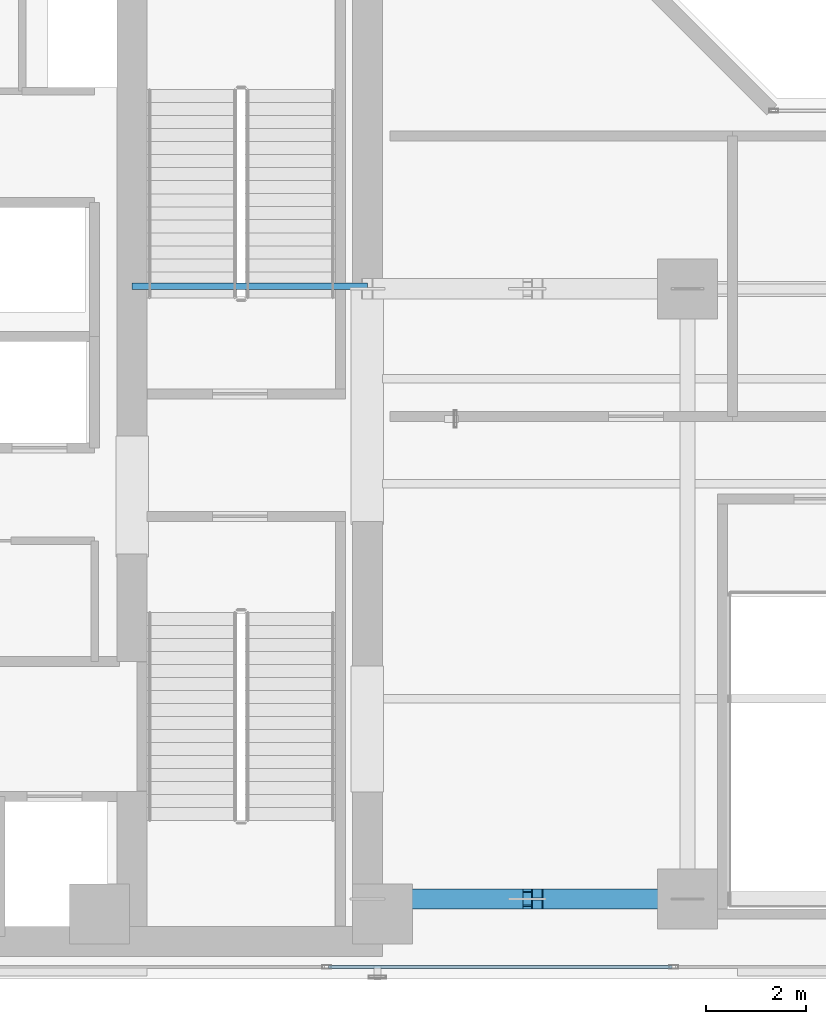
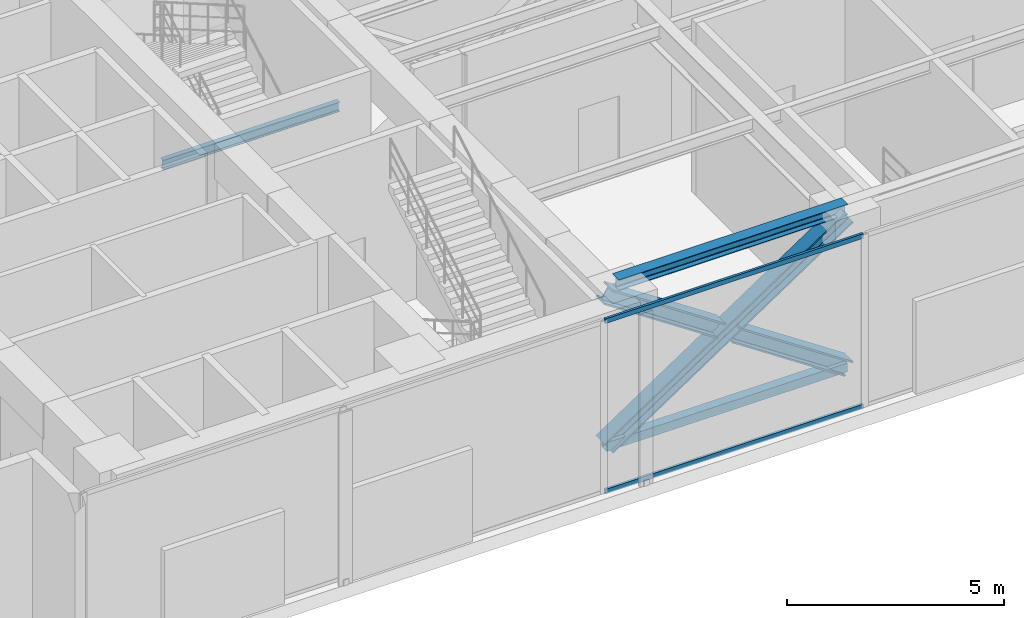
# One storey, part 5 of 36: 6 members, 2 beams, 1 element without a shape of its own.
"""IFC4 building model written with IfcOpenShell, lengths in metres."""

import ifcopenshell
import ifcopenshell.guid

model = None  # the IFC model being written
_history = None  # IfcOwnerHistory: only IFC2X3 demands one
_inside = {}  # id of a spatial element -> (the spatial element, [elements in it])
_under = {}  # id of a project, library or spatial element -> (it, [spatial elements below it])
_declared = {}  # id of a project -> (the project, [libraries it declares])
_typed = {}  # id of a type object -> (the type object, [elements of that type])
_made_of = {}  # id of a material, layer set ... -> (it, [elements and type objects made of it])


def new_model(schema):
    """Start an empty IFC model of exactly this schema.

    Asked for "IFC4X3", IfcOpenShell would pick the latest addendum, in which some entities
    have other attributes; the version numbers below select the first issue.
    IFC2X3 requires an IfcOwnerHistory on every rooted entity: one is made here for all.
    """
    global model, _history
    if schema == "IFC4X3":
        model = ifcopenshell.file(schema_version=(4, 3, 0, 0))
    else:
        model = ifcopenshell.file(schema=schema)
    _inside.clear()
    _under.clear()
    _declared.clear()
    _typed.clear()
    _made_of.clear()
    _history = None
    if model.schema == "IFC2X3":
        org = make("IfcOrganization", Name="unknown")
        user = make(
            "IfcPersonAndOrganization",
            ThePerson=make("IfcPerson", FamilyName="unknown"),
            TheOrganization=org,
        )
        app = make(
            "IfcApplication",
            ApplicationDeveloper=org,
            Version="unknown",
            ApplicationFullName="unknown",
            ApplicationIdentifier="unknown",
        )
        _history = make(
            "IfcOwnerHistory",
            OwningUser=user,
            OwningApplication=app,
            ChangeAction="ADDED",
            CreationDate=0,
        )
    return model


def make(cls, **values):
    """One entity of the class cls with the attributes given. An attribute that is None is left unset."""
    return model.create_entity(
        cls, **{name: value for name, value in values.items() if value is not None}
    )


def rooted(cls, **values):
    """An entity with a GlobalId (a new one), such as an element, a storey or a relation."""
    return make(cls, GlobalId=ifcopenshell.guid.new(), OwnerHistory=_history, **values)


def si_unit(unit_type, name, prefix=None):
    """IfcSIUnit, for example si_unit("LENGTHUNIT", "METRE", prefix="MILLI")."""
    return make("IfcSIUnit", UnitType=unit_type, Prefix=prefix, Name=name)


def assignment(units):
    """IfcUnitAssignment: the units of a project."""
    return None if units is None else make("IfcUnitAssignment", Units=units)


def point(xyz):
    """IfcCartesianPoint."""
    return None if xyz is None else make("IfcCartesianPoint", Coordinates=xyz)


def direction(xyz):
    """IfcDirection."""
    return None if xyz is None else make("IfcDirection", DirectionRatios=xyz)


def frame(location, z_axis=None, x_axis=None):
    """IfcAxis2Placement3D, a coordinate frame: its origin and axes. An axis left out is left unset."""
    return make(
        "IfcAxis2Placement3D",
        Location=point(location),
        Axis=direction(z_axis),
        RefDirection=direction(x_axis),
    )


def frame_2d(location, x_axis=None):
    """IfcAxis2Placement2D, a coordinate frame in the plane: its origin and x axis."""
    return make(
        "IfcAxis2Placement2D", Location=point(location), RefDirection=direction(x_axis)
    )


def origin():
    """The frame at (0, 0, 0) with its axes left unset."""
    return frame((0.0, 0.0, 0.0))


def origin_with_axes():
    """The frame at (0, 0, 0) with the z axis (0, 0, 1) and the x axis (1, 0, 0) written out."""
    return frame((0.0, 0.0, 0.0), z_axis=(0.0, 0.0, 1.0), x_axis=(1.0, 0.0, 0.0))


def origin_2d():
    """The frame at (0, 0) in the plane with its x axis left unset."""
    return frame_2d((0.0, 0.0))


def place(relative_to, where):
    """IfcLocalPlacement: puts the frame where relative to a parent placement (None: the world)."""
    return make(
        "IfcLocalPlacement", PlacementRelTo=relative_to, RelativePlacement=where
    )


def context(
    kind, dimensions, precision=None, world=None, true_north=None, identifier=None
):
    """IfcGeometricRepresentationContext, for example the 3D "Model" context."""
    return make(
        "IfcGeometricRepresentationContext",
        ContextIdentifier=identifier,
        ContextType=kind,
        CoordinateSpaceDimension=dimensions,
        Precision=precision,
        WorldCoordinateSystem=world,
        TrueNorth=true_north,
    )


def subcontext(parent, identifier, kind, view, scale=None):
    """IfcGeometricRepresentationSubContext, for example "Body" below "Model"."""
    return make(
        "IfcGeometricRepresentationSubContext",
        ContextIdentifier=identifier,
        ContextType=kind,
        ParentContext=parent,
        TargetScale=scale,
        TargetView=view,
    )


def project(units=None, contexts=None):
    """IfcProject with its units and contexts."""
    return rooted(
        "IfcProject",
        Name="project",
        RepresentationContexts=contexts,
        UnitsInContext=assignment(units),
    )


def spatial(cls, under=None, at=None, **own):
    """A site, building, storey or space (cls), placed at a placement, below another one or the project."""
    s = rooted(cls, ObjectPlacement=at, **own)
    if under is not None:
        _under.setdefault(under.id(), (under, []))[1].append(s)
    return s


def profile(cls, at=None, kind="AREA", **sizes):
    """A parametric profile (cls). Its sizes go by their IFC names, for example OverallWidth=200.0."""
    return make(cls, ProfileType=kind, Position=at, **sizes)


def hollow_rectangle(**sizes):
    """IfcRectangleHollowProfileDef."""
    return profile("IfcRectangleHollowProfileDef", **sizes)


def i_section(**sizes):
    """IfcIShapeProfileDef."""
    return profile("IfcIShapeProfileDef", **sizes)


def extrude(swept, where, along, depth):
    """IfcExtrudedAreaSolid: the profile swept, set in the frame where, extruded along a direction by depth."""
    return make(
        "IfcExtrudedAreaSolid",
        SweptArea=swept,
        Position=where,
        ExtrudedDirection=direction(along),
        Depth=depth,
    )


def shape(context_of_items, identifier, shape_type, items):
    """IfcShapeRepresentation: the items that make up one representation, for example the "Body"."""
    return make(
        "IfcShapeRepresentation",
        ContextOfItems=context_of_items,
        RepresentationIdentifier=identifier,
        RepresentationType=shape_type,
        Items=items,
    )


def source(mapping_origin, context_of_items, identifier, shape_type, items):
    """IfcRepresentationMap: a shape defined once, which mapped items show again and again."""
    return make(
        "IfcRepresentationMap",
        MappingOrigin=mapping_origin,
        MappedRepresentation=shape(context_of_items, identifier, shape_type, items),
    )


def transform(
    local_origin,
    x_axis=None,
    y_axis=None,
    z_axis=None,
    scale=None,
    scale2=None,
    scale3=None,
    uniform=True,
):
    """IfcCartesianTransformationOperator3D, or its non-uniform kind. x_axis, y_axis, z_axis: its Axis1, 2, 3."""
    if uniform:
        return make(
            "IfcCartesianTransformationOperator3D",
            Axis1=direction(x_axis),
            Axis2=direction(y_axis),
            LocalOrigin=point(local_origin),
            Scale=scale,
            Axis3=direction(z_axis),
        )
    return make(
        "IfcCartesianTransformationOperator3DnonUniform",
        Axis1=direction(x_axis),
        Axis2=direction(y_axis),
        LocalOrigin=point(local_origin),
        Scale=scale,
        Axis3=direction(z_axis),
        Scale2=scale2,
        Scale3=scale3,
    )


def mapped(mapping_source, mapping_target):
    """IfcMappedItem: shows the shape of a source again, moved by a transform."""
    return make(
        "IfcMappedItem", MappingSource=mapping_source, MappingTarget=mapping_target
    )


def material(Name=None, Category=None):
    """IfcMaterial."""
    return make("IfcMaterial", Name=Name, Category=Category)


def layer(
    of_material, thickness, ventilated=None, Name=None, Category=None, Priority=None
):
    """IfcMaterialLayer: one layer of a wall or slab, of a material (None: an air gap)."""
    return make(
        "IfcMaterialLayer",
        Material=of_material,
        LayerThickness=thickness,
        IsVentilated=ventilated,
        Name=Name,
        Category=Category,
        Priority=Priority,
    )


def layer_set(layers, Name=None):
    """IfcMaterialLayerSet."""
    return make("IfcMaterialLayerSet", MaterialLayers=layers, LayerSetName=Name)


def material_profile(
    of_material, cross_section, Name=None, Category=None, Priority=None
):
    """IfcMaterialProfile: a cross section and its material."""
    return make(
        "IfcMaterialProfile",
        Name=Name,
        Material=of_material,
        Profile=cross_section,
        Priority=Priority,
        Category=Category,
    )


def profile_set(profiles, Name=None, composite=None):
    """IfcMaterialProfileSet."""
    return make(
        "IfcMaterialProfileSet",
        Name=Name,
        MaterialProfiles=profiles,
        CompositeProfile=composite,
    )


def made_of(thing, what):
    """Note that an element or type object is made of a material, layer set ...; save() writes the relation."""
    if what is not None:
        _made_of.setdefault(what.id(), (what, []))[1].append(thing)
    return thing


def type_object(cls, material=None, **own):
    """A type object (cls), such as IfcWallType, which elements share."""
    return made_of(rooted(cls, **own), material)


def element(
    cls,
    number,
    at=None,
    inside=None,
    cuts=None,
    type_object=None,
    material=None,
    context=None,
    identifier="Body",
    shape_type=None,
    held_by="IfcProductDefinitionShape",
    body=None,
    shapes=None,
    **own,
):
    """One element of the class cls, such as IfcWall. Its Tag is "e" and its number.

    at: its placement. inside: the storey or other place that contains it. cuts: it is an
    opening in that element (IfcRelVoidsElement). A single representation is given by context,
    identifier, shape_type and body (its items); several are given by shapes. held_by: the class
    of the entity that holds the representations. save() writes the other relations.
    """
    e = rooted(cls, Tag="e%d" % number, ObjectPlacement=at, **own)
    if body is not None:
        shapes = [shape(context, identifier, shape_type, body)]
    if shapes is not None:
        e.Representation = make(held_by, Representations=shapes)
    if inside is not None:
        _inside.setdefault(inside.id(), (inside, []))[1].append(e)
    if cuts is not None:
        rooted(
            "IfcRelVoidsElement", RelatingBuildingElement=cuts, RelatedOpeningElement=e
        )
    if type_object is not None:
        _typed.setdefault(type_object.id(), (type_object, []))[1].append(e)
    return made_of(e, material)


def aggregate(whole, parts):
    """IfcRelAggregates: a whole, such as a stair, and the parts it consists of."""
    return rooted("IfcRelAggregates", RelatingObject=whole, RelatedObjects=parts)


def save(model, path):
    """Write the relations noted so far, then the file.

    IfcRelAggregates (storeys below a building ...), IfcRelContainedInSpatialStructure (elements
    in a storey), IfcRelDefinesByType, IfcRelAssociatesMaterial and IfcRelDeclares: one each for
    every whole, place, type object, material and project.
    """
    for whole, parts in _under.values():
        aggregate(whole, parts)
    for where, things in _inside.values():
        rooted(
            "IfcRelContainedInSpatialStructure",
            RelatedElements=things,
            RelatingStructure=where,
        )
    for kind, things in _typed.values():
        rooted("IfcRelDefinesByType", RelatedObjects=things, RelatingType=kind)
    for what, things in _made_of.values():
        rooted("IfcRelAssociatesMaterial", RelatedObjects=things, RelatingMaterial=what)
    for by, libraries in _declared.values():
        rooted("IfcRelDeclares", RelatingContext=by, RelatedDefinitions=libraries)
    model.write(path)


model = new_model("IFC4")

# Units and contexts
model_context = context("Model", 3, precision=1e-05, world=origin(), true_north=direction((0.0, 1.0)))
body_context = subcontext(model_context, "Body", "Model", "MODEL_VIEW")
ifc_project = project(units=[si_unit("LENGTHUNIT", "METRE"), si_unit("AREAUNIT", "SQUARE_METRE"), si_unit("VOLUMEUNIT", "CUBIC_METRE"), si_unit("PLANEANGLEUNIT", "RADIAN"), si_unit("MASSUNIT", "GRAM", prefix="KILO")], contexts=[model_context])

# Site, building, storey
site_placement = place(None, origin())
site = spatial("IfcSite", under=ifc_project, at=site_placement, CompositionType="ELEMENT")
building_placement = place(site_placement, origin())
building = spatial("IfcBuilding", under=site, at=building_placement, Name="Kolvaren Waterfront Exchange", CompositionType="ELEMENT")
storey_placement = place(building_placement, frame((0.0, 0.0, 199.39990234375)))
storey = spatial("IfcBuildingStorey", under=building, at=storey_placement, Name="L51", CompositionType="ELEMENT", Elevation=199.39990234375)

# Beams
ifc_material_1 = material(Name="Steel S355", Category="steel")
ifc_material_profile_1 = material_profile(ifc_material_1, i_section(OverallWidth=0.300048828125, OverallDepth=0.300048828125, WebThickness=0.010986328125, FlangeThickness=0.01904296875, FilletRadius=0.027099609375, at=origin_2d()), Name="HEB300")
ifc_profile_set_1 = profile_set([ifc_material_profile_1], Name="Steel S355")
beam_type_1 = type_object("IfcBeamType", Name="STR-BM-HEB300", PredefinedType="SPANDREL", material=ifc_profile_set_1)
beam_1_placement = place(storey_placement, frame((21.10009765625, 5.199951171875, 4.710205078125), z_axis=(1.0, 0.0, 0.0), x_axis=(0.0, 1.0, 0.0)))
element("IfcBeam", 1, at=beam_1_placement, inside=storey, type_object=beam_type_1, Name="L51 east-arm spandrel S1", PredefinedType="SPANDREL", context=body_context, shape_type="SweptSolid", body=[
    extrude(i_section(OverallWidth=0.300048828125, OverallDepth=0.300048828125, WebThickness=0.010986328125, FlangeThickness=0.01904296875, FilletRadius=0.027099609375, at=origin_2d()), origin(), (0.0, 0.0, 1.0), 6.099853515625),
])
ifc_material_profile_2 = material_profile(ifc_material_1, i_section(OverallWidth=0.135009765625, OverallDepth=0.27001953125, WebThickness=0.006591796875, FlangeThickness=0.01025390625, FilletRadius=0.014892578125, at=origin_2d()), Name="IPE270")
ifc_profile_set_2 = profile_set([ifc_material_profile_2], Name="Steel S355")
beam_type_2 = type_object("IfcBeamType", Name="STR-BM-IPE270", PredefinedType="LINTEL", material=ifc_profile_set_2)
beam_2_placement = place(storey_placement, frame((16.10009765625, 17.449951171875, 2.364990234375), z_axis=(1.0, 0.0, 0.0), x_axis=(0.0, 1.0, 0.0)))
element("IfcBeam", 2, at=beam_2_placement, inside=storey, type_object=beam_type_2, Name="L51 core stair header lintel", PredefinedType="LINTEL", context=body_context, shape_type="SweptSolid", body=[
    extrude(i_section(OverallWidth=0.135009765625, OverallDepth=0.27001953125, WebThickness=0.006591796875, FlangeThickness=0.01025390625, FilletRadius=0.014892578125, at=origin_2d()), origin(), (0.0, 0.0, 1.0), 4.699951171875),
])

# Members
ifc_material_2 = material(Name="Steel S460", Category="steel")
ifc_material_profile_3 = material_profile(ifc_material_2, i_section(OverallWidth=0.406005859375, OverallDepth=0.416015625, WebThickness=0.029052734375, FlangeThickness=0.0419921875, FilletRadius=0.014892578125, at=origin_2d()), Name="HD400x382")
ifc_profile_set_3 = profile_set([ifc_material_profile_3], Name="Steel S460")
member_type_1 = type_object("IfcMemberType", Name="STR-BR-HD382", PredefinedType="BRACE", material=ifc_profile_set_3)
member_1_placement = place(storey_placement, frame((20.800048828125, 5.199951171875, 0.25), z_axis=(0.832445808378, 0.0, 0.554106466407), x_axis=(0.0, 1.0, 0.0)))
element("IfcMember", 3, at=member_1_placement, inside=storey, type_object=member_type_1, Name="L51 outrigger diagonal OA1.1", PredefinedType="BRACE", context=body_context, shape_type="SweptSolid", body=[
    extrude(i_section(OverallWidth=0.406005859375, OverallDepth=0.416015625, WebThickness=0.029052734375, FlangeThickness=0.0419921875, FilletRadius=0.014892578125, at=origin_2d()), origin(), (0.0, 0.0, 1.0), 7.68798828125),
])
member_2_placement = place(storey_placement, frame((27.199951171875, 5.199951171875, 0.25), z_axis=(-0.832446095636, 0.0, 0.554106034853), x_axis=(0.0, -1.0, 0.0)))
element("IfcMember", 4, at=member_2_placement, inside=storey, type_object=member_type_1, Name="L51 outrigger split diagonal OA1.2A", PredefinedType="BRACE", context=body_context, shape_type="SweptSolid", body=[
    extrude(i_section(OverallWidth=0.406005859375, OverallDepth=0.416015625, WebThickness=0.029052734375, FlangeThickness=0.0419921875, FilletRadius=0.014892578125, at=origin_2d()), origin(), (0.0, 0.0, 1.0), 3.604248046875),
])
member_3_placement = place(storey_placement, frame((23.80029296875, 5.199951171875, 2.51318359375), z_axis=(-0.832477341064, 0.0, 0.554059091266), x_axis=(0.0, -1.0, 0.0)))
element("IfcMember", 5, at=member_3_placement, inside=storey, type_object=member_type_1, Name="L51 outrigger split diagonal OA1.2B", PredefinedType="BRACE", context=body_context, shape_type="SweptSolid", body=[
    extrude(i_section(OverallWidth=0.406005859375, OverallDepth=0.416015625, WebThickness=0.029052734375, FlangeThickness=0.0419921875, FilletRadius=0.014892578125, at=origin_2d()), origin(), (0.0, 0.0, 1.0), 3.60400390625),
])
ifc_material_profile_4 = material_profile(ifc_material_1, hollow_rectangle(XDim=0.25, YDim=0.25, WallThickness=0.012451171875, at=origin_2d()), Name="SHS250x250x12.5")
ifc_profile_set_4 = profile_set([ifc_material_profile_4], Name="Steel S355")
member_type_2 = type_object("IfcMemberType", Name="STR-BR-SHS250", PredefinedType="CHORD", material=ifc_profile_set_4)
member_4_placement = place(storey_placement, frame((20.800048828125, 5.199951171875, 0.25), z_axis=(1.0, 0.0, 0.0), x_axis=(0.0, 1.0, 0.0)))
element("IfcMember", 6, at=member_4_placement, inside=storey, type_object=member_type_2, Name="L51 outrigger bottom chord OA1", PredefinedType="CHORD", context=body_context, shape_type="SweptSolid", body=[
    extrude(hollow_rectangle(XDim=0.25, YDim=0.25, WallThickness=0.012451171875, at=origin_2d()), origin(), (0.0, 0.0, 1.0), 6.39990234375),
])

# Curtain wall, members
ifc_material_3 = material(Name="Anodised dark bronze spandrel aluminium", Category="aluminium")
ifc_layer = layer(ifc_material_3, 0.219970703125, Name="Anodised dark bronze spandrel aluminium")
ifc_layer_set = layer_set([ifc_layer], Name="Anodised dark bronze spandrel aluminium")
curtain_wall_type = type_object("IfcCurtainWallType", Name="ARC-CW-SYS6", PredefinedType="USERDEFINED", material=ifc_layer_set)
curtain_wall_placement = place(storey_placement, origin())
curtain_wall = element("IfcCurtainWall", 7, at=curtain_wall_placement, inside=storey, type_object=curtain_wall_type, Name="L51 stick curtain wall CW6 (CW-L51-S)", ObjectType="STICK CURTAIN WALL", PredefinedType="USERDEFINED")
ifc_material_4 = material(Name="Anodised bronze aluminium 6063-T6", Category="aluminium")
ifc_material_profile_5 = material_profile(ifc_material_4, hollow_rectangle(XDim=0.06494140625, YDim=0.1298828125, WallThickness=0.00390625, at=origin_2d()), Name="ALU-TRN-130x65x4")
ifc_profile_set_5 = profile_set([ifc_material_profile_5], Name="Anodised bronze aluminium 6063-T6")
member_type_3 = type_object("IfcMemberType", Name="ARC-CWT-130", PredefinedType="USERDEFINED", material=ifc_profile_set_5)
shared_shape = source(origin_with_axes(), body_context, "Body", "SweptSolid", [
    extrude(hollow_rectangle(XDim=0.06494140625, YDim=0.1298828125, WallThickness=0.00390625, at=origin_2d()), origin(), (0.0, 0.0, 1.0), 6.867919921875),
])
member_5_placement = place(storey_placement, frame((20.023193359375, 3.840087890625, 0.03271484375), z_axis=(1.0, 0.0, 0.0), x_axis=(0.0, 1.0, 0.0)))
member_5 = element("IfcMember", 8, at=member_5_placement, type_object=member_type_3, Name="CW6 transom 3.1", ObjectType="TRANSOM", PredefinedType="USERDEFINED", context=body_context, shape_type="MappedRepresentation", body=[
    mapped(shared_shape, transform((0.0, 0.0, 0.0), x_axis=(1.0, 0.0, 0.0), y_axis=(0.0, 1.0, 0.0), z_axis=(0.0, 0.0, 1.0), scale=1.0)),
])
member_6_placement = place(storey_placement, frame((20.023193359375, 3.840087890625, 4.82763671875), z_axis=(1.0, 0.0, 0.0), x_axis=(0.0, 1.0, 0.0)))
member_6 = element("IfcMember", 9, at=member_6_placement, type_object=member_type_3, Name="CW6 transom 3.2", ObjectType="TRANSOM", PredefinedType="USERDEFINED", context=body_context, shape_type="MappedRepresentation", body=[
    mapped(shared_shape, transform((0.0, 0.0, 0.0), x_axis=(1.0, 0.0, 0.0), y_axis=(0.0, 1.0, 0.0), z_axis=(0.0, 0.0, 1.0), scale=1.0)),
])
aggregate(curtain_wall, [member_5, member_6])

save(model, "model.ifc")
